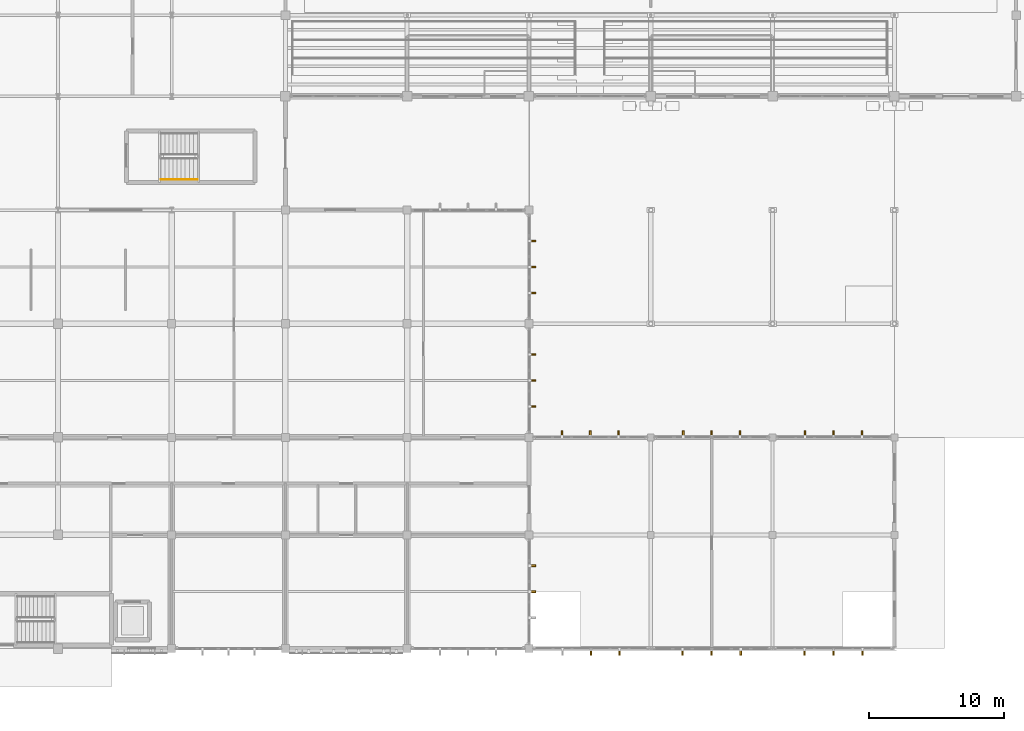
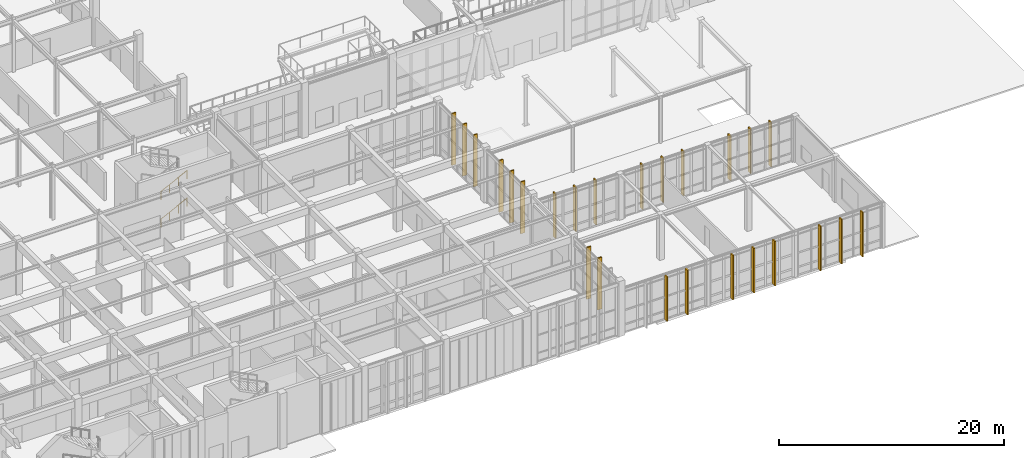
# One storey, part 98 of 110: 25 coverings, 2 railings.
"""IFC4 building model written with IfcOpenShell, lengths in metres."""

from ifc_helpers import new_model, si_unit, direction, frame, origin, origin_2d, place, context, subcontext, project, spatial, rectangle, circle, extrude, material, layer, layer_set, type_object, element, save


model = new_model("IFC4")

# Units and contexts
model_context = context("Model", 3, precision=1e-05, world=origin(), true_north=direction((0.0, 1.0)))
body_context = subcontext(model_context, "Body", "Model", "MODEL_VIEW")
ifc_project = project(units=[si_unit("LENGTHUNIT", "METRE"), si_unit("AREAUNIT", "SQUARE_METRE"), si_unit("VOLUMEUNIT", "CUBIC_METRE"), si_unit("PLANEANGLEUNIT", "RADIAN"), si_unit("MASSUNIT", "GRAM", prefix="KILO")], contexts=[model_context])

# Site, building, storey
site_placement = place(None, origin())
site = spatial("IfcSite", under=ifc_project, at=site_placement, CompositionType="ELEMENT")
building_placement = place(site_placement, origin())
building = spatial("IfcBuilding", under=site, at=building_placement, Name="Tizgana Railside Sports Hall", CompositionType="ELEMENT")
storey_placement = place(building_placement, origin())
storey = spatial("IfcBuildingStorey", under=building, at=storey_placement, Name="L00", CompositionType="ELEMENT", Elevation=0.0)

# Coverings
ifc_material_1 = material(Name="Glulam GL28h", Category="wood")
ifc_layer = layer(ifc_material_1, 0.139892578125, Name="Glulam GL28h")
ifc_layer_set = layer_set([ifc_layer], Name="Glulam GL28h")
covering_type = type_object("IfcCoveringType", Name="Mass-Timber Brise-Soleil & Pergola Fin", PredefinedType="CLADDING", material=ifc_layer_set)
for number, where, z_axis, x_axis, name in (
    (1, (98.080078125, 6.12255859375, 0.0849609375), (0.0, 0.0, 1.0), (0.0, -1.0, 0.0), "L00 Timber Brise-Soleil Fin"),
    (2, (98.080078125, 4.199951171875, 0.0849609375), (0.0, 0.0, 1.0), (0.0, -1.0, 0.0), "L00 Timber Brise-Soleil Fin"),
    (3, (98.080078125, 21.722412109375, 0.0849609375), (0.0, 0.0, 1.0), (0.0, -1.0, 0.0), "L00 Timber Brise-Soleil Fin"),
    (4, (98.080078125, 19.800048828125, 0.0849609375), (0.0, 0.0, 1.0), (0.0, -1.0, 0.0), "L00 Timber Brise-Soleil Fin"),
    (5, (98.080078125, 17.87744140625, 0.0849609375), (0.0, 0.0, 1.0), (0.0, -1.0, 0.0), "L00 Timber Brise-Soleil Fin"),
    (6, (98.080078125, 30.12255859375, 0.0849609375), (0.0, 0.0, 1.0), (0.0, -1.0, 0.0), "L00 Timber Brise-Soleil Fin"),
    (7, (98.080078125, 28.199951171875, 0.0849609375), (0.0, 0.0, 1.0), (0.0, -1.0, 0.0), "L00 Timber Brise-Soleil Fin"),
    (8, (98.080078125, 26.277587890625, 0.0849609375), (0.0, 0.0, 1.0), (0.0, -1.0, 0.0), "L00 Timber Brise-Soleil Fin"),
):
    element("IfcCovering", number, at=place(storey_placement, frame(where, z_axis=z_axis, x_axis=x_axis)), inside=storey, type_object=covering_type, Name=name, PredefinedType="CLADDING", context=body_context, shape_type="SweptSolid", body=[
        extrude(rectangle(XDim=0.1201171875, YDim=0.43994140625, at=origin_2d()), origin(), (0.0, 0.0, 1.0), 5.625),
    ])
for number, where, z_axis, x_axis, name in (
    (9, (104.492431640625, -0.280029296875, 0.0849609375), (0.0, 0.0, 1.0), (-1.0, 0.0, 0.0), "L00 Timber Brise-Soleil Fin"),
    (10, (102.3798828125, -0.280029296875, 0.0849609375), (0.0, 0.0, 1.0), (-1.0, 0.0, 0.0), "L00 Timber Brise-Soleil Fin"),
    (11, (100.239990234375, 15.8798828125, 0.0849609375), (0.0, 0.0, 1.0), (1.0, 0.0, 0.0), "L00 Timber Brise-Soleil Fin"),
    (12, (102.324951171875, 15.8798828125, 0.0849609375), (0.0, 0.0, 1.0), (1.0, 0.0, 0.0), "L00 Timber Brise-Soleil Fin"),
    (13, (104.409912109375, 15.8798828125, 0.0849609375), (0.0, 0.0, 1.0), (1.0, 0.0, 0.0), "L00 Timber Brise-Soleil Fin"),
    (14, (113.452392578125, -0.280029296875, 0.0849609375), (0.0, 0.0, 1.0), (-1.0, 0.0, 0.0), "L00 Timber Brise-Soleil Fin"),
    (15, (111.300048828125, -0.280029296875, 0.0849609375), (0.0, 0.0, 1.0), (-1.0, 0.0, 0.0), "L00 Timber Brise-Soleil Fin"),
    (16, (109.1474609375, -0.280029296875, 0.0849609375), (0.0, 0.0, 1.0), (-1.0, 0.0, 0.0), "L00 Timber Brise-Soleil Fin"),
    (17, (109.202392578125, 15.8798828125, 0.0849609375), (0.0, 0.0, 1.0), (1.0, 0.0, 0.0), "L00 Timber Brise-Soleil Fin"),
    (18, (111.300048828125, 15.8798828125, 0.0849609375), (0.0, 0.0, 1.0), (1.0, 0.0, 0.0), "L00 Timber Brise-Soleil Fin"),
    (19, (113.3974609375, 15.8798828125, 0.0849609375), (0.0, 0.0, 1.0), (1.0, 0.0, 0.0), "L00 Timber Brise-Soleil Fin"),
    (20, (122.452392578125, -0.280029296875, 0.0849609375), (0.0, 0.0, 1.0), (-1.0, 0.0, 0.0), "L00 Timber Brise-Soleil Fin"),
    (21, (120.300048828125, -0.280029296875, 0.0849609375), (0.0, 0.0, 1.0), (-1.0, 0.0, 0.0), "L00 Timber Brise-Soleil Fin"),
    (22, (118.1474609375, -0.280029296875, 0.0849609375), (0.0, 0.0, 1.0), (-1.0, 0.0, 0.0), "L00 Timber Brise-Soleil Fin"),
    (23, (118.202392578125, 15.8798828125, 0.0849609375), (0.0, 0.0, 1.0), (1.0, 0.0, 0.0), "L00 Timber Brise-Soleil Fin"),
    (24, (120.300048828125, 15.8798828125, 0.0849609375), (0.0, 0.0, 1.0), (1.0, 0.0, 0.0), "L00 Timber Brise-Soleil Fin"),
    (25, (122.3974609375, 15.8798828125, 0.0849609375), (0.0, 0.0, 1.0), (1.0, 0.0, 0.0), "L00 Timber Brise-Soleil Fin"),
):
    element("IfcCovering", number, at=place(storey_placement, frame(where, z_axis=z_axis, x_axis=x_axis)), inside=storey, type_object=covering_type, Name=name, PredefinedType="CLADDING", context=body_context, shape_type="SweptSolid", body=[
        extrude(rectangle(XDim=0.1201171875, YDim=0.43994140625, at=origin_2d()), origin(), (0.0, 0.0, 1.0), 4.8349609375),
    ])

# Railings
ifc_material_2 = material(Name="Brushed stainless steel", Category="steel")
railing_type = type_object("IfcRailingType", Name="Stair & Ramp Wall Handrail 900", PredefinedType="HANDRAIL", material=ifc_material_2)
for number, where, name in (
    (26, (70.60009765625, 34.64990234375, 0.14990234375), "L00 ST-10 stair handrail 1"),
    (27, (70.60009765625, 34.64990234375, 3.14990234375), "L00 ST-10 stair handrail 3"),
):
    element("IfcRailing", number, at=place(storey_placement, frame(where)), inside=storey, type_object=railing_type, Name=name, PredefinedType="HANDRAIL", context=body_context, shape_type="SweptSolid", body=[
        extrude(circle(Radius=0.02392578125, at=origin_2d()), frame((0.0, 0.0, 0.8759765625), z_axis=(0.894411015155, 0.0, 0.447245945728), x_axis=(0.0, 1.0, 0.0)), (0.0, 0.0, 1.0), 3.018798828125),
        extrude(circle(Radius=0.02099609375, at=origin_2d()), origin(), (0.0, 0.0, 1.0), 0.851806640625),
        extrude(circle(Radius=0.02099609375, at=origin_2d()), frame((0.89990234375, 0.0, 0.449951171875)), (0.0, 0.0, 1.0), 0.851806640625),
        extrude(circle(Radius=0.02099609375, at=origin_2d()), frame((1.800048828125, 0.0, 0.900146484375)), (0.0, 0.0, 1.0), 0.851806640625),
        extrude(circle(Radius=0.02099609375, at=origin_2d()), frame((2.699951171875, 0.0, 1.35009765625)), (0.0, 0.0, 1.0), 0.851806640625),
    ])

save(model, "model.ifc")
